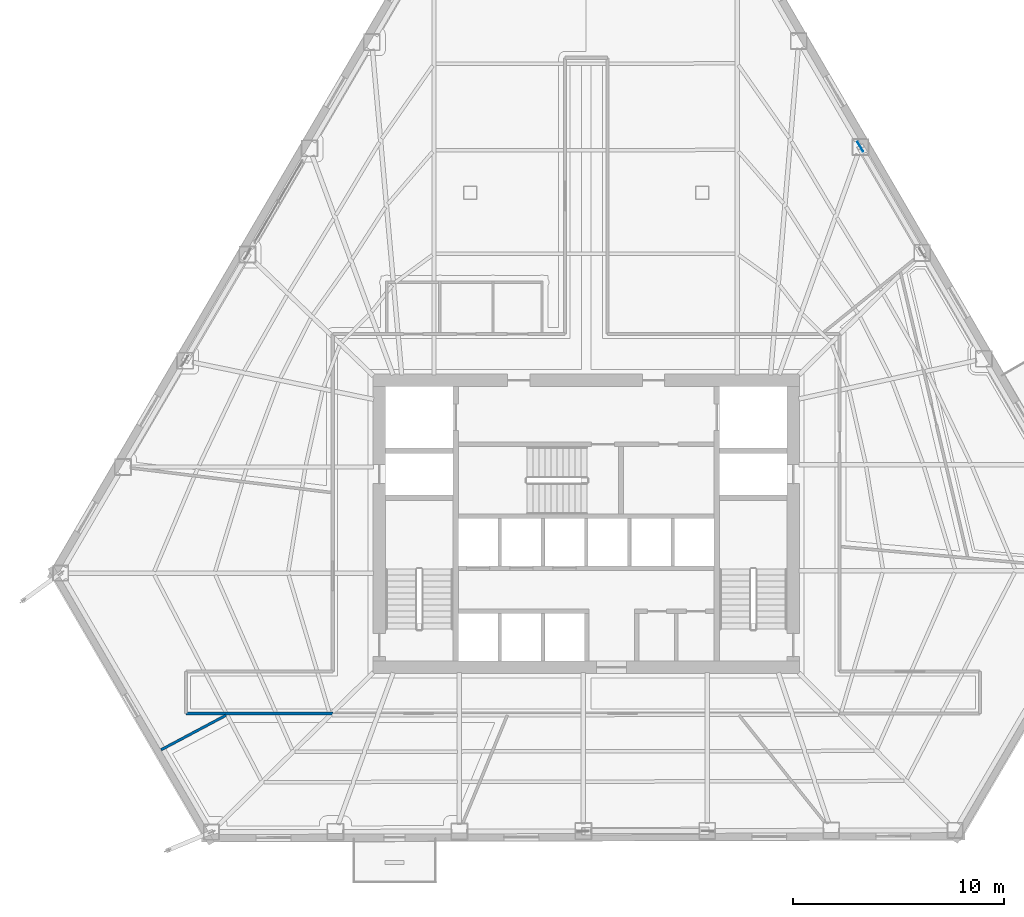
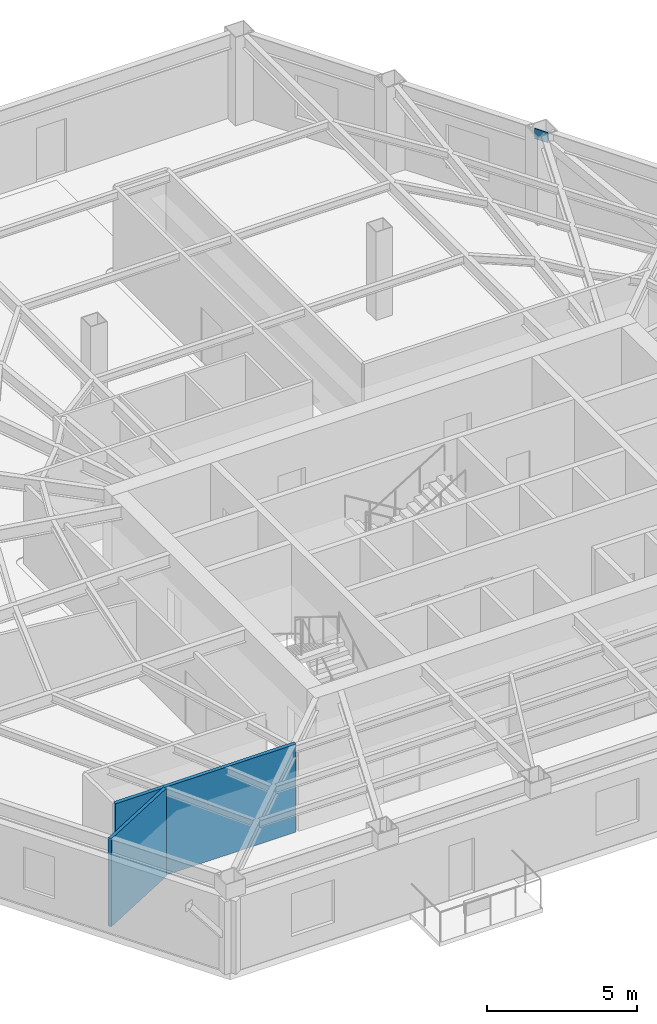
# One storey, part 8 of 15: 2 walls, 1 plate.
"""IFC4 building model written with IfcOpenShell, lengths in metres."""

from ifc_helpers import new_model, si_unit, direction, frame, frame_2d, origin, origin_2d, place, context, subcontext, project, spatial, rectangle, extrude, material, layer, layer_set, type_object, element, save


model = new_model("IFC4")

# Units and contexts
model_context = context("Model", 3, precision=1e-05, world=origin(), true_north=direction((0.0, 1.0)))
body_context = subcontext(model_context, "Body", "Model", "MODEL_VIEW")
ifc_project = project(units=[si_unit("LENGTHUNIT", "METRE"), si_unit("AREAUNIT", "SQUARE_METRE"), si_unit("VOLUMEUNIT", "CUBIC_METRE"), si_unit("PLANEANGLEUNIT", "RADIAN"), si_unit("MASSUNIT", "GRAM", prefix="KILO")], contexts=[model_context])

# Site, building, storey
site_placement = place(None, origin())
site = spatial("IfcSite", under=ifc_project, at=site_placement, CompositionType="ELEMENT")
building_placement = place(site_placement, origin())
building = spatial("IfcBuilding", under=site, at=building_placement, Name="Kavelnor Concourse Tower", CompositionType="ELEMENT")
storey_placement = place(building_placement, frame((0.0, 0.0, 63.75)))
storey = spatial("IfcBuildingStorey", under=building, at=storey_placement, Name="L16", CompositionType="ELEMENT", Elevation=63.75)

# Plate
ifc_material_1 = material(Name="Steel Grade 350", Category="steel")
ifc_layer_1 = layer(ifc_material_1, 0.031982421875, Name="Steel Grade 350")
ifc_layer_set_1 = layer_set([ifc_layer_1], Name="Steel Grade 350")
plate_type = type_object("IfcPlateType", Name="PL-GUSSET-TUBE-Z1", PredefinedType="USERDEFINED", material=ifc_layer_set_1)
plate_placement = place(storey_placement, frame((51.002685546875, 33.9814453125, 3.073974609375), z_axis=(0.0, 0.0, 1.0), x_axis=(-0.503321604797, 0.864099162217, 0.0)))
element("IfcPlate", 1, at=plate_placement, inside=storey, type_object=plate_type, Name="L16 Tube Brace Gusset GP3 F2-B3 End Gusset B", ObjectType="GUSSET_PLATE", PredefinedType="USERDEFINED", context=body_context, shape_type="SweptSolid", body=[
    extrude(rectangle(XDim=0.52001953125, YDim=0.031982421875, at=origin_2d()), origin(), (0.0, 0.0, 1.0), 0.419921875),
])

# Walls
ifc_material_2 = material(Name="Gypsum plasterboard on light-gauge steel studs", Category="steel")
ifc_layer_2 = layer(ifc_material_2, 0.14501953125, Name="Gypsum plasterboard on light-gauge steel studs")
ifc_layer_set_2 = layer_set([ifc_layer_2], Name="Gypsum plasterboard on light-gauge steel studs")
wall_type_1 = type_object("IfcWallType", Name="WL-INT-CORR-145", PredefinedType="PARTITIONING", material=ifc_layer_set_2)
wall_1_placement = place(storey_placement, frame((25.97998046875, 7.10009765625, 0.0), z_axis=(0.0, 0.0, 1.0), x_axis=(-1.0, 0.0, 0.0)))
element("IfcWall", 2, at=wall_1_placement, inside=storey, type_object=wall_type_1, Name="L16 Corridor Wall WL-L16-CR-13", PredefinedType="PARTITIONING", context=body_context, shape_type="SweptSolid", body=[
    extrude(rectangle(XDim=6.963134765625, YDim=0.14501953125, at=frame_2d((3.4814453125, 0.0))), origin(), (0.0, 0.0, 1.0), 3.590087890625),
])
ifc_layer_3 = layer(ifc_material_2, 0.125, Name="Gypsum plasterboard on light-gauge steel studs")
ifc_layer_set_3 = layer_set([ifc_layer_3], Name="Gypsum plasterboard on light-gauge steel studs")
wall_type_2 = type_object("IfcWallType", Name="WL-INT-SUITE-125", PredefinedType="PARTITIONING", material=ifc_layer_set_3)
wall_2_placement = place(storey_placement, frame((20.922119140625, 7.01953125, 0.0), z_axis=(0.0, 0.0, 1.0), x_axis=(-0.882943411385, -0.46947942691, 0.0)))
element("IfcWall", 3, at=wall_2_placement, inside=storey, type_object=wall_type_2, Name="L16 Radial Suite Partition 03", PredefinedType="PARTITIONING", context=body_context, shape_type="SweptSolid", body=[
    extrude(rectangle(XDim=3.48681640625, YDim=0.125, at=frame_2d((1.743408203125, 0.0))), origin(), (0.0, 0.0, 1.0), 3.590087890625),
])

save(model, "model.ifc")
